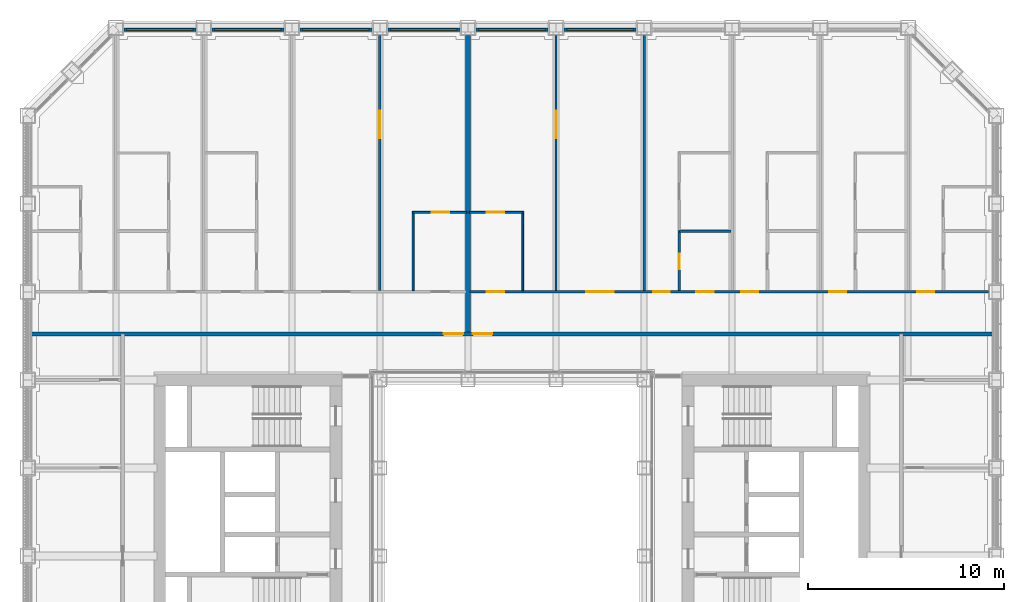
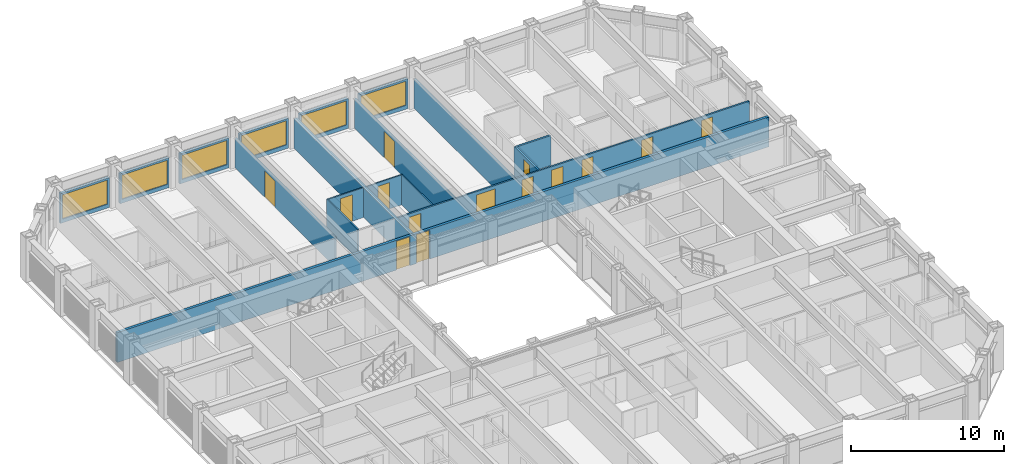
# One storey, part 14 of 21: 18 walls, 14 doors, 6 windows, 20 openings.
"""IFC4 building model written with IfcOpenShell, lengths in metres."""

from ifc_helpers import new_model, si_unit, direction, frame, frame_2d, origin, place, context, subcontext, project, spatial, rectangle, extrude, material, layer, layer_set, type_object, element, fill, save


model = new_model("IFC4")

# Units and contexts
model_context = context("Model", 3, precision=1e-05, world=origin(), true_north=direction((0.0, 1.0)))
body_context = subcontext(model_context, "Body", "Model", "MODEL_VIEW")
ifc_project = project(units=[si_unit("LENGTHUNIT", "METRE"), si_unit("AREAUNIT", "SQUARE_METRE"), si_unit("VOLUMEUNIT", "CUBIC_METRE"), si_unit("PLANEANGLEUNIT", "RADIAN"), si_unit("MASSUNIT", "GRAM", prefix="KILO")], contexts=[model_context])

# Site, building, storey
site_placement = place(None, origin())
site = spatial("IfcSite", under=ifc_project, at=site_placement, CompositionType="ELEMENT")
building_placement = place(site_placement, origin())
building = spatial("IfcBuilding", under=site, at=building_placement, Name="Msasa Ring Tower", CompositionType="ELEMENT")
storey_placement = place(building_placement, frame((0.0, 0.0, 79.0)))
storey = spatial("IfcBuildingStorey", under=building, at=storey_placement, Name="L20", CompositionType="ELEMENT", Elevation=79.0)

# Wall, opening, window
ifc_material_1 = material(Name="Terracotta rainscreen on blockwork", Category="masonry")
ifc_layer_1 = layer(ifc_material_1, 0.199951171875)
ifc_layer_set_1 = layer_set([ifc_layer_1], Name="FW1 TERRACOTTA-LINED INFILL BAY WALL 200")
wall_type_1 = type_object("IfcWallType", Name="FW1 TERRACOTTA-LINED INFILL BAY WALL 200", PredefinedType="SOLIDWALL", material=ifc_layer_set_1)
wall_1_placement = place(storey_placement, frame((-19.844970703125, 24.64990234375, 0.0), z_axis=(0.0, 0.0, 1.0), x_axis=(1.0, 0.0, 0.0)))
wall_1 = element("IfcWall", 1, at=wall_1_placement, inside=storey, type_object=wall_type_1, Name="Infill bay wall N L20 22", PredefinedType="SOLIDWALL", context=body_context, shape_type="SweptSolid", body=[
    extrude(rectangle(XDim=3.68994140625, YDim=0.199951171875, at=frame_2d((1.844970703125, 0.0))), origin(), (0.0, 0.0, 1.0), 2.37890625),
])
opening_1_placement = place(wall_1_placement, frame((0.14501953125, 0.0, 0.300048828125)))
opening_1 = element("IfcOpeningElement", 2, at=opening_1_placement, cuts=wall_1, Name="Opening WN1", PredefinedType="OPENING", context=body_context, shape_type="SweptSolid", body=[
    extrude(rectangle(XDim=3.39990234375, YDim=1.928955078125, at=frame_2d((1.699951171875, 0.96435546875))), frame((0.0, 0.10986328125, 0.0), z_axis=(0.0, -1.0, 0.0), x_axis=(1.0, 0.0, 0.0)), (0.0, 0.0, 1.0), 0.219970703125),
])
ifc_material_2 = material(Name="Aluminium frame with clear glass", Category="aluminium")
window_type = type_object("IfcWindowType", Name="WN1 RESIDENCE WINDOW 3400x1929", PartitioningType="SINGLE_PANEL", PredefinedType="WINDOW", material=ifc_material_2)
window_1_placement = place(opening_1_placement, origin())
window_1 = element("IfcWindow", 3, at=window_1_placement, inside=storey, type_object=window_type, Name="Window N L20 22", OverallHeight=1.928955078125, OverallWidth=3.39990234375, PartitioningType="SINGLE_PANEL", PredefinedType="WINDOW", context=body_context, shape_type="SweptSolid", body=[
    extrude(rectangle(XDim=3.39990234375, YDim=1.928955078125, at=frame_2d((1.699951171875, 0.96435546875))), frame((0.0, 0.030029296875, 0.0), z_axis=(0.0, -1.0, 0.0), x_axis=(1.0, 0.0, 0.0)), (0.0, 0.0, 1.0), 0.06005859375),
])
fill(opening_1, window_1)

wall_2_placement = place(storey_placement, frame((-15.344970703125, 24.64990234375, 0.0), z_axis=(0.0, 0.0, 1.0), x_axis=(1.0, 0.0, 0.0)))
wall_2 = element("IfcWall", 4, at=wall_2_placement, inside=storey, type_object=wall_type_1, Name="Infill bay wall N L20 23", PredefinedType="SOLIDWALL", context=body_context, shape_type="SweptSolid", body=[
    extrude(rectangle(XDim=3.68994140625, YDim=0.199951171875, at=frame_2d((1.844970703125, 0.0))), origin(), (0.0, 0.0, 1.0), 2.37890625),
])
opening_2_placement = place(wall_2_placement, frame((0.14501953125, 0.0, 0.300048828125)))
opening_2 = element("IfcOpeningElement", 5, at=opening_2_placement, cuts=wall_2, Name="Opening WN1", PredefinedType="OPENING", context=body_context, shape_type="SweptSolid", body=[
    extrude(rectangle(XDim=3.39990234375, YDim=1.928955078125, at=frame_2d((1.699951171875, 0.96435546875))), frame((0.0, 0.10986328125, 0.0), z_axis=(0.0, -1.0, 0.0), x_axis=(1.0, 0.0, 0.0)), (0.0, 0.0, 1.0), 0.219970703125),
])
window_2_placement = place(opening_2_placement, origin())
window_2 = element("IfcWindow", 6, at=window_2_placement, inside=storey, type_object=window_type, Name="Window N L20 23", OverallHeight=1.928955078125, OverallWidth=3.39990234375, PartitioningType="SINGLE_PANEL", PredefinedType="WINDOW", context=body_context, shape_type="SweptSolid", body=[
    extrude(rectangle(XDim=3.39990234375, YDim=1.928955078125, at=frame_2d((1.699951171875, 0.96435546875))), frame((0.0, 0.030029296875, 0.0), z_axis=(0.0, -1.0, 0.0), x_axis=(1.0, 0.0, 0.0)), (0.0, 0.0, 1.0), 0.06005859375),
])
fill(opening_2, window_2)

wall_3_placement = place(storey_placement, frame((-10.844970703125, 24.64990234375, 0.0), z_axis=(0.0, 0.0, 1.0), x_axis=(1.0, 0.0, 0.0)))
wall_3 = element("IfcWall", 7, at=wall_3_placement, inside=storey, type_object=wall_type_1, Name="Infill bay wall N L20 24", PredefinedType="SOLIDWALL", context=body_context, shape_type="SweptSolid", body=[
    extrude(rectangle(XDim=3.68994140625, YDim=0.199951171875, at=frame_2d((1.844970703125, 0.0))), origin(), (0.0, 0.0, 1.0), 2.37890625),
])
opening_3_placement = place(wall_3_placement, frame((0.14501953125, 0.0, 0.300048828125)))
opening_3 = element("IfcOpeningElement", 8, at=opening_3_placement, cuts=wall_3, Name="Opening WN1", PredefinedType="OPENING", context=body_context, shape_type="SweptSolid", body=[
    extrude(rectangle(XDim=3.39990234375, YDim=1.928955078125, at=frame_2d((1.699951171875, 0.96435546875))), frame((0.0, 0.10986328125, 0.0), z_axis=(0.0, -1.0, 0.0), x_axis=(1.0, 0.0, 0.0)), (0.0, 0.0, 1.0), 0.219970703125),
])
window_3_placement = place(opening_3_placement, origin())
window_3 = element("IfcWindow", 9, at=window_3_placement, inside=storey, type_object=window_type, Name="Window N L20 24", OverallHeight=1.928955078125, OverallWidth=3.39990234375, PartitioningType="SINGLE_PANEL", PredefinedType="WINDOW", context=body_context, shape_type="SweptSolid", body=[
    extrude(rectangle(XDim=3.39990234375, YDim=1.928955078125, at=frame_2d((1.699951171875, 0.96435546875))), frame((0.0, 0.030029296875, 0.0), z_axis=(0.0, -1.0, 0.0), x_axis=(1.0, 0.0, 0.0)), (0.0, 0.0, 1.0), 0.06005859375),
])
fill(opening_3, window_3)

wall_4_placement = place(storey_placement, frame((-6.344970703125, 24.64990234375, 0.0), z_axis=(0.0, 0.0, 1.0), x_axis=(1.0, 0.0, 0.0)))
wall_4 = element("IfcWall", 10, at=wall_4_placement, inside=storey, type_object=wall_type_1, Name="Infill bay wall N L20 25", PredefinedType="SOLIDWALL", context=body_context, shape_type="SweptSolid", body=[
    extrude(rectangle(XDim=3.68994140625, YDim=0.199951171875, at=frame_2d((1.844970703125, 0.0))), origin(), (0.0, 0.0, 1.0), 2.37890625),
])
opening_4_placement = place(wall_4_placement, frame((0.14501953125, 0.0, 0.300048828125)))
opening_4 = element("IfcOpeningElement", 11, at=opening_4_placement, cuts=wall_4, Name="Opening WN1", PredefinedType="OPENING", context=body_context, shape_type="SweptSolid", body=[
    extrude(rectangle(XDim=3.39990234375, YDim=1.928955078125, at=frame_2d((1.699951171875, 0.96435546875))), frame((0.0, 0.10986328125, 0.0), z_axis=(0.0, -1.0, 0.0), x_axis=(1.0, 0.0, 0.0)), (0.0, 0.0, 1.0), 0.219970703125),
])
window_4_placement = place(opening_4_placement, origin())
window_4 = element("IfcWindow", 12, at=window_4_placement, inside=storey, type_object=window_type, Name="Window N L20 25", OverallHeight=1.928955078125, OverallWidth=3.39990234375, PartitioningType="SINGLE_PANEL", PredefinedType="WINDOW", context=body_context, shape_type="SweptSolid", body=[
    extrude(rectangle(XDim=3.39990234375, YDim=1.928955078125, at=frame_2d((1.699951171875, 0.96435546875))), frame((0.0, 0.030029296875, 0.0), z_axis=(0.0, -1.0, 0.0), x_axis=(1.0, 0.0, 0.0)), (0.0, 0.0, 1.0), 0.06005859375),
])
fill(opening_4, window_4)

wall_5_placement = place(storey_placement, frame((-1.844970703125, 24.64990234375, 0.0), z_axis=(0.0, 0.0, 1.0), x_axis=(1.0, 0.0, 0.0)))
wall_5 = element("IfcWall", 13, at=wall_5_placement, inside=storey, type_object=wall_type_1, Name="Infill bay wall N L20 26", PredefinedType="SOLIDWALL", context=body_context, shape_type="SweptSolid", body=[
    extrude(rectangle(XDim=3.68994140625, YDim=0.199951171875, at=frame_2d((1.844970703125, 0.0))), origin(), (0.0, 0.0, 1.0), 2.37890625),
])
opening_5_placement = place(wall_5_placement, frame((0.14501953125, 0.0, 0.300048828125)))
opening_5 = element("IfcOpeningElement", 14, at=opening_5_placement, cuts=wall_5, Name="Opening WN1", PredefinedType="OPENING", context=body_context, shape_type="SweptSolid", body=[
    extrude(rectangle(XDim=3.39990234375, YDim=1.928955078125, at=frame_2d((1.699951171875, 0.96435546875))), frame((0.0, 0.10986328125, 0.0), z_axis=(0.0, -1.0, 0.0), x_axis=(1.0, 0.0, 0.0)), (0.0, 0.0, 1.0), 0.219970703125),
])
window_5_placement = place(opening_5_placement, origin())
window_5 = element("IfcWindow", 15, at=window_5_placement, inside=storey, type_object=window_type, Name="Window N L20 26", OverallHeight=1.928955078125, OverallWidth=3.39990234375, PartitioningType="SINGLE_PANEL", PredefinedType="WINDOW", context=body_context, shape_type="SweptSolid", body=[
    extrude(rectangle(XDim=3.39990234375, YDim=1.928955078125, at=frame_2d((1.699951171875, 0.96435546875))), frame((0.0, 0.030029296875, 0.0), z_axis=(0.0, -1.0, 0.0), x_axis=(1.0, 0.0, 0.0)), (0.0, 0.0, 1.0), 0.06005859375),
])
fill(opening_5, window_5)

wall_6_placement = place(storey_placement, frame((2.655029296875, 24.64990234375, 0.0), z_axis=(0.0, 0.0, 1.0), x_axis=(1.0, 0.0, 0.0)))
wall_6 = element("IfcWall", 16, at=wall_6_placement, inside=storey, type_object=wall_type_1, Name="Infill bay wall N L20 27", PredefinedType="SOLIDWALL", context=body_context, shape_type="SweptSolid", body=[
    extrude(rectangle(XDim=3.68994140625, YDim=0.199951171875, at=frame_2d((1.844970703125, 0.0))), origin(), (0.0, 0.0, 1.0), 2.37890625),
])
opening_6_placement = place(wall_6_placement, frame((0.14501953125, 0.0, 0.300048828125)))
opening_6 = element("IfcOpeningElement", 17, at=opening_6_placement, cuts=wall_6, Name="Opening WN1", PredefinedType="OPENING", context=body_context, shape_type="SweptSolid", body=[
    extrude(rectangle(XDim=3.39990234375, YDim=1.928955078125, at=frame_2d((1.699951171875, 0.96435546875))), frame((0.0, 0.10986328125, 0.0), z_axis=(0.0, -1.0, 0.0), x_axis=(1.0, 0.0, 0.0)), (0.0, 0.0, 1.0), 0.219970703125),
])
window_6_placement = place(opening_6_placement, origin())
window_6 = element("IfcWindow", 18, at=window_6_placement, inside=storey, type_object=window_type, Name="Window N L20 27", OverallHeight=1.928955078125, OverallWidth=3.39990234375, PartitioningType="SINGLE_PANEL", PredefinedType="WINDOW", context=body_context, shape_type="SweptSolid", body=[
    extrude(rectangle(XDim=3.39990234375, YDim=1.928955078125, at=frame_2d((1.699951171875, 0.96435546875))), frame((0.0, 0.030029296875, 0.0), z_axis=(0.0, -1.0, 0.0), x_axis=(1.0, 0.0, 0.0)), (0.0, 0.0, 1.0), 0.06005859375),
])
fill(opening_6, window_6)

# Wall, openings, doors
ifc_material_3 = material(Name="Concrete blockwork", Category="masonry")
ifc_layer_2 = layer(ifc_material_3, 0.199951171875)
ifc_layer_set_2 = layer_set([ifc_layer_2], Name="PT1 CORRIDOR WALL 200")
wall_type_2 = type_object("IfcWallType", Name="PT1 CORRIDOR WALL 200", PredefinedType="PARTITIONING", material=ifc_layer_set_2)
wall_7_placement = place(storey_placement, frame((-24.550048828125, 9.10009765625, 0.0), z_axis=(0.0, 0.0, 1.0), x_axis=(1.0, 0.0, 0.0)))
wall_7 = element("IfcWall", 19, at=wall_7_placement, inside=storey, type_object=wall_type_2, Name="Corridor wall L20-CORRN0", PredefinedType="PARTITIONING", context=body_context, shape_type="SweptSolid", body=[
    extrude(rectangle(XDim=49.10009765625, YDim=0.199951171875, at=frame_2d((24.550048828125, 0.0))), origin(), (0.0, 0.0, 1.0), 2.373291015625),
])
opening_7_placement = place(wall_7_placement, frame((22.550048828125, 0.0, 0.0)))
opening_7 = element("IfcOpeningElement", 20, at=opening_7_placement, cuts=wall_7, Name="Opening RF-033", PredefinedType="OPENING", context=body_context, shape_type="SweptSolid", body=[
    extrude(rectangle(XDim=1.0, YDim=2.300048828125, at=frame_2d((0.5, 1.14990234375))), frame((0.0, 0.10986328125, 0.0), z_axis=(0.0, -1.0, 0.0), x_axis=(1.0, 0.0, 0.0)), (0.0, 0.0, 1.0), 0.219970703125),
])
opening_8_placement = place(wall_7_placement, frame((21.050048828125, 0.0, 0.0)))
opening_8 = element("IfcOpeningElement", 21, at=opening_8_placement, cuts=wall_7, Name="Opening RF-032", PredefinedType="OPENING", context=body_context, shape_type="SweptSolid", body=[
    extrude(rectangle(XDim=1.0, YDim=2.300048828125, at=frame_2d((0.5, 1.14990234375))), frame((0.0, 0.10986328125, 0.0), z_axis=(0.0, -1.0, 0.0), x_axis=(1.0, 0.0, 0.0)), (0.0, 0.0, 1.0), 0.219970703125),
])
ifc_material_4 = material(Name="Timber door leaf in a steel frame", Category="steel")
door_type_1 = type_object("IfcDoorType", Name="D16 UPPER RESIDENCE ENTRANCE DOOR 1000x2300", OperationType="SINGLE_SWING_LEFT", PredefinedType="DOOR", material=ifc_material_4)
door_1_placement = place(opening_7_placement, origin())
door_1 = element("IfcDoor", 22, at=door_1_placement, inside=storey, type_object=door_type_1, Name="Door L20-VNE", OperationType="SINGLE_SWING_LEFT", OverallHeight=2.300048828125, OverallWidth=1.0, PredefinedType="DOOR", context=body_context, shape_type="SweptSolid", body=[
    extrude(rectangle(XDim=1.0, YDim=2.300048828125, at=frame_2d((0.5, 1.14990234375))), frame((0.0, 0.02490234375, 0.0), z_axis=(0.0, -1.0, 0.0), x_axis=(1.0, 0.0, 0.0)), (0.0, 0.0, 1.0), 0.050048828125),
])
fill(opening_7, door_1)
door_2_placement = place(opening_8_placement, origin())
door_2 = element("IfcDoor", 23, at=door_2_placement, inside=storey, type_object=door_type_1, Name="Door L20-VNW", OperationType="SINGLE_SWING_LEFT", OverallHeight=2.300048828125, OverallWidth=1.0, PredefinedType="DOOR", context=body_context, shape_type="SweptSolid", body=[
    extrude(rectangle(XDim=1.0, YDim=2.300048828125, at=frame_2d((0.5, 1.14990234375))), frame((0.0, 0.02490234375, 0.0), z_axis=(0.0, -1.0, 0.0), x_axis=(1.0, 0.0, 0.0)), (0.0, 0.0, 1.0), 0.050048828125),
])
fill(opening_8, door_2)

# Wall
ifc_material_5 = material(Name="Gypsum board on steel studs", Category="steel")
ifc_layer_3 = layer(ifc_material_5, 0.10009765625)
ifc_layer_set_3 = layer_set([ifc_layer_3], Name="PT2 STUD PARTITION 100")
wall_type_3 = type_object("IfcWallType", Name="PT2 STUD PARTITION 100", PredefinedType="PARTITIONING", material=ifc_layer_set_3)
wall_8_placement = place(storey_placement, frame((0.550048828125, 11.3125, 0.0), z_axis=(0.0, 0.0, 1.0), x_axis=(0.0, 1.0, 0.0)))
element("IfcWall", 24, at=wall_8_placement, inside=storey, type_object=wall_type_3, Name="Partition L20-VNEKX", PredefinedType="PARTITIONING", context=body_context, shape_type="SweptSolid", body=[
    extrude(rectangle(XDim=4.050048828125, YDim=0.10009765625, at=frame_2d((2.02490234375, 0.0))), origin(), (0.0, 0.0, 1.0), 2.373291015625),
])

# Wall, opening, door
wall_9_placement = place(storey_placement, frame((-2.1826171875, 15.3125, 0.0), z_axis=(0.0, 0.0, 1.0), x_axis=(1.0, 0.0, 0.0)))
wall_9 = element("IfcWall", 25, at=wall_9_placement, inside=storey, type_object=wall_type_3, Name="Partition L20-VNEKY", PredefinedType="PARTITIONING", context=body_context, shape_type="SweptSolid", body=[
    extrude(rectangle(XDim=2.732666015625, YDim=0.10009765625, at=frame_2d((1.3662109375, 0.0))), origin(), (0.0, 0.0, 1.0), 2.373291015625),
])
opening_9_placement = place(wall_9_placement, frame((0.882568359375, 0.0, 0.0)))
opening_9 = element("IfcOpeningElement", 26, at=opening_9_placement, cuts=wall_9, Name="Opening RF-011", PredefinedType="OPENING", context=body_context, shape_type="SweptSolid", body=[
    extrude(rectangle(XDim=0.89990234375, YDim=2.10009765625, at=frame_2d((0.449951171875, 1.050048828125))), frame((0.0, 0.06005859375, 0.0), z_axis=(0.0, -1.0, 0.0), x_axis=(1.0, 0.0, 0.0)), (0.0, 0.0, 1.0), 0.1201171875),
])
ifc_material_6 = material(Name="Timber door leaf in a steel frame", Category="steel")
door_type_2 = type_object("IfcDoorType", Name="D22 INTERNAL HALL DOOR 900x2100", OperationType="SINGLE_SWING_LEFT", PredefinedType="DOOR", material=ifc_material_6)
door_3_placement = place(opening_9_placement, origin())
door_3 = element("IfcDoor", 27, at=door_3_placement, inside=storey, type_object=door_type_2, Name="Door L20-VNEKD", OperationType="SINGLE_SWING_LEFT", OverallHeight=2.10009765625, OverallWidth=0.89990234375, PredefinedType="DOOR", context=body_context, shape_type="SweptSolid", body=[
    extrude(rectangle(XDim=0.89990234375, YDim=2.10009765625, at=frame_2d((0.449951171875, 1.050048828125))), frame((0.0, 0.02490234375, 0.0), z_axis=(0.0, -1.0, 0.0), x_axis=(1.0, 0.0, 0.0)), (0.0, 0.0, 1.0), 0.050048828125),
])
fill(opening_9, door_3)

# Wall
wall_10_placement = place(storey_placement, frame((-5.050048828125, 11.3125, 0.0), z_axis=(0.0, 0.0, 1.0), x_axis=(0.0, 1.0, 0.0)))
element("IfcWall", 28, at=wall_10_placement, inside=storey, type_object=wall_type_3, Name="Partition L20-VNWKX", PredefinedType="PARTITIONING", context=body_context, shape_type="SweptSolid", body=[
    extrude(rectangle(XDim=4.050048828125, YDim=0.10009765625, at=frame_2d((2.02490234375, 0.0))), origin(), (0.0, 0.0, 1.0), 2.373291015625),
])

# Wall, opening, door
wall_11_placement = place(storey_placement, frame((-5.050048828125, 15.3125, 0.0), z_axis=(0.0, 0.0, 1.0), x_axis=(1.0, 0.0, 0.0)))
wall_11 = element("IfcWall", 29, at=wall_11_placement, inside=storey, type_object=wall_type_3, Name="Partition L20-VNWKY", PredefinedType="PARTITIONING", context=body_context, shape_type="SweptSolid", body=[
    extrude(rectangle(XDim=2.732666015625, YDim=0.10009765625, at=frame_2d((1.3662109375, 0.0))), origin(), (0.0, 0.0, 1.0), 2.373291015625),
])
opening_10_placement = place(wall_11_placement, frame((0.949951171875, 0.0, 0.0)))
opening_10 = element("IfcOpeningElement", 30, at=opening_10_placement, cuts=wall_11, Name="Opening RF-010", PredefinedType="OPENING", context=body_context, shape_type="SweptSolid", body=[
    extrude(rectangle(XDim=0.89990234375, YDim=2.10009765625, at=frame_2d((0.449951171875, 1.050048828125))), frame((0.0, 0.06005859375, 0.0), z_axis=(0.0, -1.0, 0.0), x_axis=(1.0, 0.0, 0.0)), (0.0, 0.0, 1.0), 0.1201171875),
])
door_4_placement = place(opening_10_placement, origin())
door_4 = element("IfcDoor", 31, at=door_4_placement, inside=storey, type_object=door_type_2, Name="Door L20-VNWKD", OperationType="SINGLE_SWING_RIGHT", OverallHeight=2.10009765625, OverallWidth=0.89990234375, PredefinedType="DOOR", context=body_context, shape_type="SweptSolid", body=[
    extrude(rectangle(XDim=0.89990234375, YDim=2.10009765625, at=frame_2d((0.449951171875, 1.050048828125))), frame((0.0, 0.02490234375, 0.0), z_axis=(0.0, -1.0, 0.0), x_axis=(1.0, 0.0, 0.0)), (0.0, 0.0, 1.0), 0.050048828125),
])
fill(opening_10, door_4)

# Wall
ifc_material_7 = material(Name="Dense concrete blockwork, plastered both faces", Category="masonry")
ifc_layer_4 = layer(ifc_material_7, 0.25)
ifc_layer_set_4 = layer_set([ifc_layer_4], Name="PT3 APARTMENT SEPARATING WALL 250")
wall_type_4 = type_object("IfcWallType", Name="PT3 APARTMENT SEPARATING WALL 250", PredefinedType="PARTITIONING", material=ifc_layer_set_4)
wall_12_placement = place(storey_placement, frame((-2.25, 9.199951171875, 0.0), z_axis=(0.0, 0.0, 1.0), x_axis=(0.0, 1.0, 0.0)))
element("IfcWall", 32, at=wall_12_placement, inside=storey, type_object=wall_type_4, Name="Party wall L20-PWN-2.25", PredefinedType="PARTITIONING", context=body_context, shape_type="SweptSolid", body=[
    extrude(rectangle(XDim=15.150146484375, YDim=0.25, at=frame_2d((7.5751953125, 0.0))), origin(), (0.0, 0.0, 1.0), 2.373291015625),
])

# Wall, opening, door
ifc_material_8 = material(Name="Moisture-resistant board on steel studs with a concealed cistern and pipe void, tiled", Category="steel")
ifc_layer_5 = layer(ifc_material_8, 0.14990234375)
ifc_layer_set_5 = layer_set([ifc_layer_5], Name="PT4 BATHROOM WET WALL 150")
wall_type_5 = type_object("IfcWallType", Name="PT4 BATHROOM WET WALL 150", PredefinedType="PARTITIONING", material=ifc_layer_set_5)
wall_13_placement = place(storey_placement, frame((8.550048828125, 11.3125, 0.0), z_axis=(0.0, 0.0, 1.0), x_axis=(0.0, 1.0, 0.0)))
wall_13 = element("IfcWall", 33, at=wall_13_placement, inside=storey, type_object=wall_type_5, Name="Partition L20-VNEBX1", PredefinedType="PARTITIONING", context=body_context, shape_type="SweptSolid", body=[
    extrude(rectangle(XDim=3.08740234375, YDim=0.14990234375, at=frame_2d((1.543701171875, 0.0))), origin(), (0.0, 0.0, 1.0), 2.373291015625),
])
opening_11_placement = place(wall_13_placement, frame((1.08740234375, 0.0, 0.0)))
opening_11 = element("IfcOpeningElement", 34, at=opening_11_placement, cuts=wall_13, Name="Opening RF-015", PredefinedType="OPENING", context=body_context, shape_type="SweptSolid", body=[
    extrude(rectangle(XDim=0.800048828125, YDim=2.10009765625, at=frame_2d((0.39990234375, 1.050048828125))), frame((0.0, 0.0849609375, 0.0), z_axis=(0.0, -1.0, 0.0), x_axis=(1.0, 0.0, 0.0)), (0.0, 0.0, 1.0), 0.169921875),
])
ifc_material_9 = material(Name="Timber door leaf in a steel frame", Category="steel")
door_type_3 = type_object("IfcDoorType", Name="D21 POCKET SLIDING BATHROOM DOOR 800x2100", OperationType="SINGLE_SWING_LEFT", PredefinedType="DOOR", material=ifc_material_9)
door_5_placement = place(opening_11_placement, origin())
door_5 = element("IfcDoor", 35, at=door_5_placement, inside=storey, type_object=door_type_3, Name="Door L20-VNEB1", OperationType="SINGLE_SWING_LEFT", OverallHeight=2.10009765625, OverallWidth=0.800048828125, PredefinedType="DOOR", context=body_context, shape_type="SweptSolid", body=[
    extrude(rectangle(XDim=0.800048828125, YDim=2.10009765625, at=frame_2d((0.39990234375, 1.050048828125))), frame((0.0, 0.02490234375, 0.0), z_axis=(0.0, -1.0, 0.0), x_axis=(1.0, 0.0, 0.0)), (0.0, 0.0, 1.0), 0.050048828125),
])
fill(opening_11, door_5)

# Wall
wall_14_placement = place(storey_placement, frame((8.550048828125, 14.35009765625, 0.0), z_axis=(0.0, 0.0, 1.0), x_axis=(1.0, 0.0, 0.0)))
element("IfcWall", 36, at=wall_14_placement, inside=storey, type_object=wall_type_5, Name="Partition L20-VNEBY1", PredefinedType="PARTITIONING", context=body_context, shape_type="SweptSolid", body=[
    extrude(rectangle(XDim=2.639892578125, YDim=0.14990234375, at=frame_2d((1.31982421875, 0.0))), origin(), (0.0, 0.0, 1.0), 2.373291015625),
])

# Wall, openings, doors
ifc_material_10 = material(Name="Two layers of acoustic board each face on steel studs, mineral wool", Category="steel")
ifc_layer_6 = layer(ifc_material_10, 0.125)
ifc_layer_set_6 = layer_set([ifc_layer_6], Name="PT6 ACOUSTIC DOUBLE-BOARD PARTITION 125")
wall_type_6 = type_object("IfcWallType", Name="PT6 ACOUSTIC DOUBLE-BOARD PARTITION 125", PredefinedType="PARTITIONING", material=ifc_layer_set_6)
wall_15_placement = place(storey_placement, frame((-2.14990234375, 11.25, 0.0), z_axis=(0.0, 0.0, 1.0), x_axis=(1.0, 0.0, 0.0)))
wall_15 = element("IfcWall", 37, at=wall_15_placement, inside=storey, type_object=wall_type_6, Name="Partition L20-VNEHY", PredefinedType="PARTITIONING", context=body_context, shape_type="SweptSolid", body=[
    extrude(rectangle(XDim=26.5, YDim=0.125, at=frame_2d((13.25, 0.0))), origin(), (0.0, 0.0, 1.0), 2.373291015625),
])
opening_12_placement = place(wall_15_placement, frame((0.85009765625, 0.0, 0.0)))
opening_12 = element("IfcOpeningElement", 38, at=opening_12_placement, cuts=wall_15, Name="Opening RF-025", PredefinedType="OPENING", context=body_context, shape_type="SweptSolid", body=[
    extrude(rectangle(XDim=0.89990234375, YDim=2.10009765625, at=frame_2d((0.449951171875, 1.050048828125))), frame((0.0, 0.072509765625, 0.0), z_axis=(0.0, -1.0, 0.0), x_axis=(1.0, 0.0, 0.0)), (0.0, 0.0, 1.0), 0.14501953125),
])
opening_13_placement = place(wall_15_placement, frame((5.949951171875, 0.0, 0.0)))
opening_13 = element("IfcOpeningElement", 39, at=opening_13_placement, cuts=wall_15, Name="Opening RF-026", PredefinedType="OPENING", context=body_context, shape_type="SweptSolid", body=[
    extrude(rectangle(XDim=1.39990234375, YDim=2.10009765625, at=frame_2d((0.699951171875, 1.050048828125))), frame((0.0, 0.072509765625, 0.0), z_axis=(0.0, -1.0, 0.0), x_axis=(1.0, 0.0, 0.0)), (0.0, 0.0, 1.0), 0.14501953125),
])
opening_14_placement = place(wall_15_placement, frame((9.375, 0.0, 0.0)))
opening_14 = element("IfcOpeningElement", 40, at=opening_14_placement, cuts=wall_15, Name="Opening RF-027", PredefinedType="OPENING", context=body_context, shape_type="SweptSolid", body=[
    extrude(rectangle(XDim=0.85009765625, YDim=2.10009765625, at=frame_2d((0.425048828125, 1.050048828125))), frame((0.0, 0.072509765625, 0.0), z_axis=(0.0, -1.0, 0.0), x_axis=(1.0, 0.0, 0.0)), (0.0, 0.0, 1.0), 0.14501953125),
])
opening_15_placement = place(wall_15_placement, frame((11.570068359375, 0.0, 0.0)))
opening_15 = element("IfcOpeningElement", 41, at=opening_15_placement, cuts=wall_15, Name="Opening RF-028", PredefinedType="OPENING", context=body_context, shape_type="SweptSolid", body=[
    extrude(rectangle(XDim=0.89990234375, YDim=2.10009765625, at=frame_2d((0.449951171875, 1.050048828125))), frame((0.0, 0.072509765625, 0.0), z_axis=(0.0, -1.0, 0.0), x_axis=(1.0, 0.0, 0.0)), (0.0, 0.0, 1.0), 0.14501953125),
])
opening_16_placement = place(wall_15_placement, frame((13.875, 0.0, 0.0)))
opening_16 = element("IfcOpeningElement", 42, at=opening_16_placement, cuts=wall_15, Name="Opening RF-029", PredefinedType="OPENING", context=body_context, shape_type="SweptSolid", body=[
    extrude(rectangle(XDim=0.85009765625, YDim=2.10009765625, at=frame_2d((0.425048828125, 1.050048828125))), frame((0.0, 0.072509765625, 0.0), z_axis=(0.0, -1.0, 0.0), x_axis=(1.0, 0.0, 0.0)), (0.0, 0.0, 1.0), 0.14501953125),
])
opening_17_placement = place(wall_15_placement, frame((18.375, 0.0, 0.0)))
opening_17 = element("IfcOpeningElement", 43, at=opening_17_placement, cuts=wall_15, Name="Opening RF-030", PredefinedType="OPENING", context=body_context, shape_type="SweptSolid", body=[
    extrude(rectangle(XDim=0.85009765625, YDim=2.10009765625, at=frame_2d((0.425048828125, 1.050048828125))), frame((0.0, 0.072509765625, 0.0), z_axis=(0.0, -1.0, 0.0), x_axis=(1.0, 0.0, 0.0)), (0.0, 0.0, 1.0), 0.14501953125),
])
opening_18_placement = place(wall_15_placement, frame((22.875, 0.0, 0.0)))
opening_18 = element("IfcOpeningElement", 44, at=opening_18_placement, cuts=wall_15, Name="Opening RF-031", PredefinedType="OPENING", context=body_context, shape_type="SweptSolid", body=[
    extrude(rectangle(XDim=0.85009765625, YDim=2.10009765625, at=frame_2d((0.425048828125, 1.050048828125))), frame((0.0, 0.072509765625, 0.0), z_axis=(0.0, -1.0, 0.0), x_axis=(1.0, 0.0, 0.0)), (0.0, 0.0, 1.0), 0.14501953125),
])
ifc_material_11 = material(Name="Timber door leaf in a steel frame", Category="steel")
door_type_4 = type_object("IfcDoorType", Name="D14 BEDROOM DOOR 850x2100", OperationType="SINGLE_SWING_LEFT", PredefinedType="DOOR", material=ifc_material_11)
door_6_placement = place(opening_14_placement, origin())
door_6 = element("IfcDoor", 45, at=door_6_placement, inside=storey, type_object=door_type_4, Name="Door L20-VNER1", OperationType="SINGLE_SWING_LEFT", OverallHeight=2.10009765625, OverallWidth=0.85009765625, PredefinedType="DOOR", context=body_context, shape_type="SweptSolid", body=[
    extrude(rectangle(XDim=0.85009765625, YDim=2.10009765625, at=frame_2d((0.425048828125, 1.050048828125))), frame((0.0, 0.02490234375, 0.0), z_axis=(0.0, -1.0, 0.0), x_axis=(1.0, 0.0, 0.0)), (0.0, 0.0, 1.0), 0.050048828125),
])
fill(opening_14, door_6)
door_7_placement = place(opening_16_placement, origin())
door_7 = element("IfcDoor", 46, at=door_7_placement, inside=storey, type_object=door_type_4, Name="Door L20-VNER2", OperationType="SINGLE_SWING_RIGHT", OverallHeight=2.10009765625, OverallWidth=0.85009765625, PredefinedType="DOOR", context=body_context, shape_type="SweptSolid", body=[
    extrude(rectangle(XDim=0.85009765625, YDim=2.10009765625, at=frame_2d((0.425048828125, 1.050048828125))), frame((0.0, 0.02490234375, 0.0), z_axis=(0.0, -1.0, 0.0), x_axis=(1.0, 0.0, 0.0)), (0.0, 0.0, 1.0), 0.050048828125),
])
fill(opening_16, door_7)
door_8_placement = place(opening_17_placement, origin())
door_8 = element("IfcDoor", 47, at=door_8_placement, inside=storey, type_object=door_type_4, Name="Door L20-VNER3", OperationType="SINGLE_SWING_RIGHT", OverallHeight=2.10009765625, OverallWidth=0.85009765625, PredefinedType="DOOR", context=body_context, shape_type="SweptSolid", body=[
    extrude(rectangle(XDim=0.85009765625, YDim=2.10009765625, at=frame_2d((0.425048828125, 1.050048828125))), frame((0.0, 0.02490234375, 0.0), z_axis=(0.0, -1.0, 0.0), x_axis=(1.0, 0.0, 0.0)), (0.0, 0.0, 1.0), 0.050048828125),
])
fill(opening_17, door_8)
door_9_placement = place(opening_18_placement, origin())
door_9 = element("IfcDoor", 48, at=door_9_placement, inside=storey, type_object=door_type_4, Name="Door L20-VNER4", OperationType="SINGLE_SWING_RIGHT", OverallHeight=2.10009765625, OverallWidth=0.85009765625, PredefinedType="DOOR", context=body_context, shape_type="SweptSolid", body=[
    extrude(rectangle(XDim=0.85009765625, YDim=2.10009765625, at=frame_2d((0.425048828125, 1.050048828125))), frame((0.0, 0.02490234375, 0.0), z_axis=(0.0, -1.0, 0.0), x_axis=(1.0, 0.0, 0.0)), (0.0, 0.0, 1.0), 0.050048828125),
])
fill(opening_18, door_9)
ifc_material_12 = material(Name="Timber door leaf in a steel frame", Category="steel")
door_type_5 = type_object("IfcDoorType", Name="D15 LIVING ROOM PAIR OF GLAZED DOORS 1400x2100", OperationType="SINGLE_SWING_LEFT", PredefinedType="DOOR", material=ifc_material_12)
door_10_placement = place(opening_13_placement, origin())
door_10 = element("IfcDoor", 49, at=door_10_placement, inside=storey, type_object=door_type_5, Name="Door L20-VNEL", OperationType="SINGLE_SWING_LEFT", OverallHeight=2.10009765625, OverallWidth=1.39990234375, PredefinedType="DOOR", context=body_context, shape_type="SweptSolid", body=[
    extrude(rectangle(XDim=1.39990234375, YDim=2.10009765625, at=frame_2d((0.699951171875, 1.050048828125))), frame((0.0, 0.02490234375, 0.0), z_axis=(0.0, -1.0, 0.0), x_axis=(1.0, 0.0, 0.0)), (0.0, 0.0, 1.0), 0.050048828125),
])
fill(opening_13, door_10)
door_11_placement = place(opening_12_placement, origin())
door_11 = element("IfcDoor", 50, at=door_11_placement, inside=storey, type_object=door_type_2, Name="Door L20-VNEK", OperationType="SINGLE_SWING_LEFT", OverallHeight=2.10009765625, OverallWidth=0.89990234375, PredefinedType="DOOR", context=body_context, shape_type="SweptSolid", body=[
    extrude(rectangle(XDim=0.89990234375, YDim=2.10009765625, at=frame_2d((0.449951171875, 1.050048828125))), frame((0.0, 0.02490234375, 0.0), z_axis=(0.0, -1.0, 0.0), x_axis=(1.0, 0.0, 0.0)), (0.0, 0.0, 1.0), 0.050048828125),
])
fill(opening_12, door_11)
ifc_material_13 = material(Name="Timber door leaf in a steel frame", Category="steel")
door_type_6 = type_object("IfcDoorType", Name="D3 BATHROOM DOOR 900x2100", OperationType="SINGLE_SWING_LEFT", PredefinedType="DOOR", material=ifc_material_13)
door_12_placement = place(opening_15_placement, origin())
door_12 = element("IfcDoor", 51, at=door_12_placement, inside=storey, type_object=door_type_6, Name="Door L20-VNEBH1", OperationType="SINGLE_SWING_LEFT", OverallHeight=2.10009765625, OverallWidth=0.89990234375, PredefinedType="DOOR", context=body_context, shape_type="SweptSolid", body=[
    extrude(rectangle(XDim=0.89990234375, YDim=2.10009765625, at=frame_2d((0.449951171875, 1.050048828125))), frame((0.0, 0.02490234375, 0.0), z_axis=(0.0, -1.0, 0.0), x_axis=(1.0, 0.0, 0.0)), (0.0, 0.0, 1.0), 0.050048828125),
])
fill(opening_15, door_12)

# Wall, opening, door
wall_16_placement = place(storey_placement, frame((2.25, 11.3125, 0.0), z_axis=(0.0, 0.0, 1.0), x_axis=(0.0, 1.0, 0.0)))
wall_16 = element("IfcWall", 52, at=wall_16_placement, inside=storey, type_object=wall_type_6, Name="Partition L20-VNELM", PredefinedType="PARTITIONING", context=body_context, shape_type="SweptSolid", body=[
    extrude(rectangle(XDim=13.03759765625, YDim=0.125, at=frame_2d((6.518798828125, 0.0))), origin(), (0.0, 0.0, 1.0), 2.373291015625),
])
opening_19_placement = place(wall_16_placement, frame((7.793701171875, 0.0, 0.0)))
opening_19 = element("IfcOpeningElement", 53, at=opening_19_placement, cuts=wall_16, Name="Opening RF-002", PredefinedType="OPENING", context=body_context, shape_type="SweptSolid", body=[
    extrude(rectangle(XDim=1.39990234375, YDim=2.10009765625, at=frame_2d((0.699951171875, 1.050048828125))), frame((0.0, 0.072509765625, 0.0), z_axis=(0.0, -1.0, 0.0), x_axis=(1.0, 0.0, 0.0)), (0.0, 0.0, 1.0), 0.14501953125),
])
door_13_placement = place(opening_19_placement, origin())
door_13 = element("IfcDoor", 54, at=door_13_placement, inside=storey, type_object=door_type_5, Name="Door L20-VNELD", OperationType="SINGLE_SWING_RIGHT", OverallHeight=2.10009765625, OverallWidth=1.39990234375, PredefinedType="DOOR", context=body_context, shape_type="SweptSolid", body=[
    extrude(rectangle(XDim=1.39990234375, YDim=2.10009765625, at=frame_2d((0.699951171875, 1.050048828125))), frame((0.0, 0.02490234375, 0.0), z_axis=(0.0, -1.0, 0.0), x_axis=(1.0, 0.0, 0.0)), (0.0, 0.0, 1.0), 0.050048828125),
])
fill(opening_19, door_13)

# Wall
wall_17_placement = place(storey_placement, frame((6.75, 11.3125, 0.0), z_axis=(0.0, 0.0, 1.0), x_axis=(0.0, 1.0, 0.0)))
element("IfcWall", 55, at=wall_17_placement, inside=storey, type_object=wall_type_6, Name="Partition L20-VNEP1", PredefinedType="PARTITIONING", context=body_context, shape_type="SweptSolid", body=[
    extrude(rectangle(XDim=13.03759765625, YDim=0.125, at=frame_2d((6.518798828125, 0.0))), origin(), (0.0, 0.0, 1.0), 2.373291015625),
])

# Wall, opening, door
wall_18_placement = place(storey_placement, frame((-6.75, 11.3125, 0.0), z_axis=(0.0, 0.0, 1.0), x_axis=(0.0, 1.0, 0.0)))
wall_18 = element("IfcWall", 56, at=wall_18_placement, inside=storey, type_object=wall_type_6, Name="Partition L20-VNWLM", PredefinedType="PARTITIONING", context=body_context, shape_type="SweptSolid", body=[
    extrude(rectangle(XDim=13.03759765625, YDim=0.125, at=frame_2d((6.518798828125, 0.0))), origin(), (0.0, 0.0, 1.0), 2.373291015625),
])
opening_20_placement = place(wall_18_placement, frame((7.793701171875, 0.0, 0.0)))
opening_20 = element("IfcOpeningElement", 57, at=opening_20_placement, cuts=wall_18, Name="Opening RF-001", PredefinedType="OPENING", context=body_context, shape_type="SweptSolid", body=[
    extrude(rectangle(XDim=1.39990234375, YDim=2.10009765625, at=frame_2d((0.699951171875, 1.050048828125))), frame((0.0, 0.072509765625, 0.0), z_axis=(0.0, -1.0, 0.0), x_axis=(1.0, 0.0, 0.0)), (0.0, 0.0, 1.0), 0.14501953125),
])
door_14_placement = place(opening_20_placement, origin())
door_14 = element("IfcDoor", 58, at=door_14_placement, inside=storey, type_object=door_type_5, Name="Door L20-VNWLD", OperationType="SINGLE_SWING_RIGHT", OverallHeight=2.10009765625, OverallWidth=1.39990234375, PredefinedType="DOOR", context=body_context, shape_type="SweptSolid", body=[
    extrude(rectangle(XDim=1.39990234375, YDim=2.10009765625, at=frame_2d((0.699951171875, 1.050048828125))), frame((0.0, 0.02490234375, 0.0), z_axis=(0.0, -1.0, 0.0), x_axis=(1.0, 0.0, 0.0)), (0.0, 0.0, 1.0), 0.050048828125),
])
fill(opening_20, door_14)

save(model, "model.ifc")
